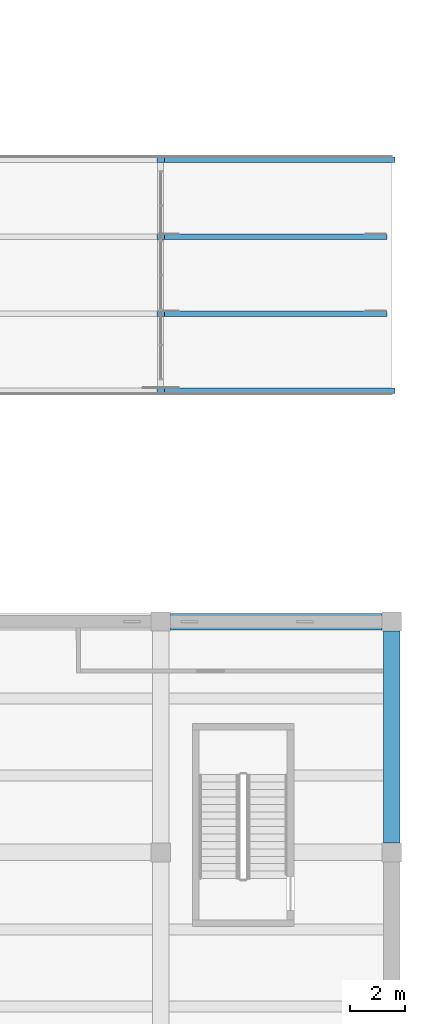
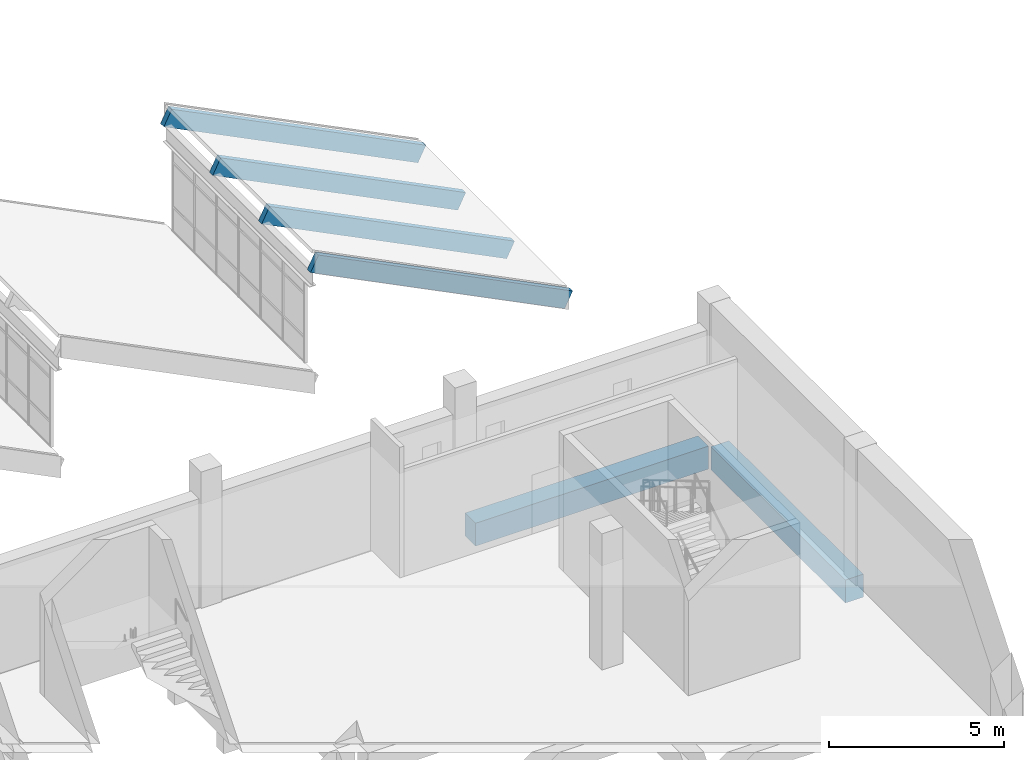
# One storey, part 29 of 103: 6 beams.
"""IFC4 building model written with IfcOpenShell, lengths in metres."""

import ifcopenshell
import ifcopenshell.guid

model = None  # the IFC model being written
_history = None  # IfcOwnerHistory: only IFC2X3 demands one
_inside = {}  # id of a spatial element -> (the spatial element, [elements in it])
_under = {}  # id of a project, library or spatial element -> (it, [spatial elements below it])
_declared = {}  # id of a project -> (the project, [libraries it declares])
_typed = {}  # id of a type object -> (the type object, [elements of that type])
_made_of = {}  # id of a material, layer set ... -> (it, [elements and type objects made of it])


def new_model(schema):
    """Start an empty IFC model of exactly this schema.

    Asked for "IFC4X3", IfcOpenShell would pick the latest addendum, in which some entities
    have other attributes; the version numbers below select the first issue.
    IFC2X3 requires an IfcOwnerHistory on every rooted entity: one is made here for all.
    """
    global model, _history
    if schema == "IFC4X3":
        model = ifcopenshell.file(schema_version=(4, 3, 0, 0))
    else:
        model = ifcopenshell.file(schema=schema)
    _inside.clear()
    _under.clear()
    _declared.clear()
    _typed.clear()
    _made_of.clear()
    _history = None
    if model.schema == "IFC2X3":
        org = make("IfcOrganization", Name="unknown")
        user = make(
            "IfcPersonAndOrganization",
            ThePerson=make("IfcPerson", FamilyName="unknown"),
            TheOrganization=org,
        )
        app = make(
            "IfcApplication",
            ApplicationDeveloper=org,
            Version="unknown",
            ApplicationFullName="unknown",
            ApplicationIdentifier="unknown",
        )
        _history = make(
            "IfcOwnerHistory",
            OwningUser=user,
            OwningApplication=app,
            ChangeAction="ADDED",
            CreationDate=0,
        )
    return model


def make(cls, **values):
    """One entity of the class cls with the attributes given. An attribute that is None is left unset."""
    return model.create_entity(
        cls, **{name: value for name, value in values.items() if value is not None}
    )


def rooted(cls, **values):
    """An entity with a GlobalId (a new one), such as an element, a storey or a relation."""
    return make(cls, GlobalId=ifcopenshell.guid.new(), OwnerHistory=_history, **values)


def si_unit(unit_type, name, prefix=None):
    """IfcSIUnit, for example si_unit("LENGTHUNIT", "METRE", prefix="MILLI")."""
    return make("IfcSIUnit", UnitType=unit_type, Prefix=prefix, Name=name)


def assignment(units):
    """IfcUnitAssignment: the units of a project."""
    return None if units is None else make("IfcUnitAssignment", Units=units)


def point(xyz):
    """IfcCartesianPoint."""
    return None if xyz is None else make("IfcCartesianPoint", Coordinates=xyz)


def direction(xyz):
    """IfcDirection."""
    return None if xyz is None else make("IfcDirection", DirectionRatios=xyz)


def frame(location, z_axis=None, x_axis=None):
    """IfcAxis2Placement3D, a coordinate frame: its origin and axes. An axis left out is left unset."""
    return make(
        "IfcAxis2Placement3D",
        Location=point(location),
        Axis=direction(z_axis),
        RefDirection=direction(x_axis),
    )


def frame_2d(location, x_axis=None):
    """IfcAxis2Placement2D, a coordinate frame in the plane: its origin and x axis."""
    return make(
        "IfcAxis2Placement2D", Location=point(location), RefDirection=direction(x_axis)
    )


def origin():
    """The frame at (0, 0, 0) with its axes left unset."""
    return frame((0.0, 0.0, 0.0))


def origin_2d():
    """The frame at (0, 0) in the plane with its x axis left unset."""
    return frame_2d((0.0, 0.0))


def place(relative_to, where):
    """IfcLocalPlacement: puts the frame where relative to a parent placement (None: the world)."""
    return make(
        "IfcLocalPlacement", PlacementRelTo=relative_to, RelativePlacement=where
    )


def context(
    kind, dimensions, precision=None, world=None, true_north=None, identifier=None
):
    """IfcGeometricRepresentationContext, for example the 3D "Model" context."""
    return make(
        "IfcGeometricRepresentationContext",
        ContextIdentifier=identifier,
        ContextType=kind,
        CoordinateSpaceDimension=dimensions,
        Precision=precision,
        WorldCoordinateSystem=world,
        TrueNorth=true_north,
    )


def subcontext(parent, identifier, kind, view, scale=None):
    """IfcGeometricRepresentationSubContext, for example "Body" below "Model"."""
    return make(
        "IfcGeometricRepresentationSubContext",
        ContextIdentifier=identifier,
        ContextType=kind,
        ParentContext=parent,
        TargetScale=scale,
        TargetView=view,
    )


def project(units=None, contexts=None):
    """IfcProject with its units and contexts."""
    return rooted(
        "IfcProject",
        Name="project",
        RepresentationContexts=contexts,
        UnitsInContext=assignment(units),
    )


def spatial(cls, under=None, at=None, **own):
    """A site, building, storey or space (cls), placed at a placement, below another one or the project."""
    s = rooted(cls, ObjectPlacement=at, **own)
    if under is not None:
        _under.setdefault(under.id(), (under, []))[1].append(s)
    return s


def profile(cls, at=None, kind="AREA", **sizes):
    """A parametric profile (cls). Its sizes go by their IFC names, for example OverallWidth=200.0."""
    return make(cls, ProfileType=kind, Position=at, **sizes)


def rectangle(**sizes):
    """IfcRectangleProfileDef."""
    return profile("IfcRectangleProfileDef", **sizes)


def extrude(swept, where, along, depth):
    """IfcExtrudedAreaSolid: the profile swept, set in the frame where, extruded along a direction by depth."""
    return make(
        "IfcExtrudedAreaSolid",
        SweptArea=swept,
        Position=where,
        ExtrudedDirection=direction(along),
        Depth=depth,
    )


def shape(context_of_items, identifier, shape_type, items):
    """IfcShapeRepresentation: the items that make up one representation, for example the "Body"."""
    return make(
        "IfcShapeRepresentation",
        ContextOfItems=context_of_items,
        RepresentationIdentifier=identifier,
        RepresentationType=shape_type,
        Items=items,
    )


def material(Name=None, Category=None):
    """IfcMaterial."""
    return make("IfcMaterial", Name=Name, Category=Category)


def material_profile(
    of_material, cross_section, Name=None, Category=None, Priority=None
):
    """IfcMaterialProfile: a cross section and its material."""
    return make(
        "IfcMaterialProfile",
        Name=Name,
        Material=of_material,
        Profile=cross_section,
        Priority=Priority,
        Category=Category,
    )


def profile_set(profiles, Name=None, composite=None):
    """IfcMaterialProfileSet."""
    return make(
        "IfcMaterialProfileSet",
        Name=Name,
        MaterialProfiles=profiles,
        CompositeProfile=composite,
    )


def made_of(thing, what):
    """Note that an element or type object is made of a material, layer set ...; save() writes the relation."""
    if what is not None:
        _made_of.setdefault(what.id(), (what, []))[1].append(thing)
    return thing


def type_object(cls, material=None, **own):
    """A type object (cls), such as IfcWallType, which elements share."""
    return made_of(rooted(cls, **own), material)


def element(
    cls,
    number,
    at=None,
    inside=None,
    cuts=None,
    type_object=None,
    material=None,
    context=None,
    identifier="Body",
    shape_type=None,
    held_by="IfcProductDefinitionShape",
    body=None,
    shapes=None,
    **own,
):
    """One element of the class cls, such as IfcWall. Its Tag is "e" and its number.

    at: its placement. inside: the storey or other place that contains it. cuts: it is an
    opening in that element (IfcRelVoidsElement). A single representation is given by context,
    identifier, shape_type and body (its items); several are given by shapes. held_by: the class
    of the entity that holds the representations. save() writes the other relations.
    """
    e = rooted(cls, Tag="e%d" % number, ObjectPlacement=at, **own)
    if body is not None:
        shapes = [shape(context, identifier, shape_type, body)]
    if shapes is not None:
        e.Representation = make(held_by, Representations=shapes)
    if inside is not None:
        _inside.setdefault(inside.id(), (inside, []))[1].append(e)
    if cuts is not None:
        rooted(
            "IfcRelVoidsElement", RelatingBuildingElement=cuts, RelatedOpeningElement=e
        )
    if type_object is not None:
        _typed.setdefault(type_object.id(), (type_object, []))[1].append(e)
    return made_of(e, material)


def aggregate(whole, parts):
    """IfcRelAggregates: a whole, such as a stair, and the parts it consists of."""
    return rooted("IfcRelAggregates", RelatingObject=whole, RelatedObjects=parts)


def save(model, path):
    """Write the relations noted so far, then the file.

    IfcRelAggregates (storeys below a building ...), IfcRelContainedInSpatialStructure (elements
    in a storey), IfcRelDefinesByType, IfcRelAssociatesMaterial and IfcRelDeclares: one each for
    every whole, place, type object, material and project.
    """
    for whole, parts in _under.values():
        aggregate(whole, parts)
    for where, things in _inside.values():
        rooted(
            "IfcRelContainedInSpatialStructure",
            RelatedElements=things,
            RelatingStructure=where,
        )
    for kind, things in _typed.values():
        rooted("IfcRelDefinesByType", RelatedObjects=things, RelatingType=kind)
    for what, things in _made_of.values():
        rooted("IfcRelAssociatesMaterial", RelatedObjects=things, RelatingMaterial=what)
    for by, libraries in _declared.values():
        rooted("IfcRelDeclares", RelatingContext=by, RelatedDefinitions=libraries)
    model.write(path)


model = new_model("IFC4")

# Units and contexts
model_context = context("Model", 3, precision=1e-05, world=origin(), true_north=direction((0.0, 1.0)))
body_context = subcontext(model_context, "Body", "Model", "MODEL_VIEW")
ifc_project = project(units=[si_unit("LENGTHUNIT", "METRE"), si_unit("AREAUNIT", "SQUARE_METRE"), si_unit("VOLUMEUNIT", "CUBIC_METRE"), si_unit("PLANEANGLEUNIT", "RADIAN"), si_unit("MASSUNIT", "GRAM", prefix="KILO")], contexts=[model_context])

# Site, building, storey
site_placement = place(None, origin())
site = spatial("IfcSite", under=ifc_project, at=site_placement, CompositionType="ELEMENT")
building_placement = place(site_placement, origin())
building = spatial("IfcBuilding", under=site, at=building_placement, Name="Larchfold Concert Hall", CompositionType="ELEMENT")
storey_placement = place(building_placement, frame((0.0, 0.0, 9.60009765625)))
storey = spatial("IfcBuildingStorey", under=building, at=storey_placement, Name="L02", CompositionType="ELEMENT", Elevation=9.60009765625)

# Beams
ifc_material_1 = material(Name="Concrete C35/45", Category="concrete")
ifc_material_profile_1 = material_profile(ifc_material_1, rectangle(XDim=0.60009765625, YDim=0.800048828125, at=origin_2d()))
ifc_profile_set_1 = profile_set([ifc_material_profile_1], Name="Concrete C35/45")
beam_type_1 = type_object("IfcBeamType", Name="Beam RC 600x800", PredefinedType="BEAM", material=ifc_profile_set_1)
for number, where, z_axis, x_axis, name in (
    (1, (101.39990234375, 93.35009765625, -0.60009765625), (0.0, 1.0, 0.0), (-1.0, 0.0, 0.0), "Beam B0976"),
    (2, (93.35009765625, 101.39990234375, -0.60009765625), (1.0, 0.0, 0.0), (0.0, 1.0, 0.0), "Beam B0992"),
):
    element("IfcBeam", number, at=place(storey_placement, frame(where, z_axis=z_axis, x_axis=x_axis)), inside=storey, type_object=beam_type_1, Name=name, PredefinedType="BEAM", context=body_context, shape_type="SweptSolid", body=[
        extrude(rectangle(XDim=0.60009765625, YDim=0.800048828125, at=origin_2d()), origin(), (0.0, 0.0, 1.0), 7.699951171875),
    ])
ifc_material_2 = material(Name="Glulam GL30c", Category="wood")
ifc_material_profile_2 = material_profile(ifc_material_2, rectangle(XDim=0.18994140625, YDim=0.5849609375, at=origin_2d()))
ifc_profile_set_2 = profile_set([ifc_material_profile_2], Name="Glulam GL30c")
beam_type_2 = type_object("IfcBeamType", Name="Glulam beam GL30c 190x585", PredefinedType="BEAM", material=ifc_profile_set_2)
beam_1_placement = place(storey_placement, frame((93.0, 109.800048828125, 3.77294921875), z_axis=(0.894427191, 0.0, -0.4472135955), x_axis=(0.0, 1.0, 0.0)))
element("IfcBeam", 3, at=beam_1_placement, inside=storey, type_object=beam_type_2, Name="Beam GL2105", PredefinedType="BEAM", context=body_context, shape_type="SweptSolid", body=[
    extrude(rectangle(XDim=0.18994140625, YDim=0.5849609375, at=origin_2d()), origin(), (0.0, 0.0, 1.0), 9.391357421875),
])
for number, where, z_axis, x_axis, name in (
    (4, (93.0, 112.60009765625, 3.77294921875), (0.894427191, 0.0, -0.4472135955), (0.0, 1.0, 0.0), "Beam GL2106"),
    (5, (93.0, 115.39990234375, 3.77294921875), (0.894427191, 0.0, -0.4472135955), (0.0, 1.0, 0.0), "Beam GL2107"),
):
    element("IfcBeam", number, at=place(storey_placement, frame(where, z_axis=z_axis, x_axis=x_axis)), inside=storey, type_object=beam_type_2, Name=name, PredefinedType="BEAM", context=body_context, shape_type="SweptSolid", body=[
        extrude(rectangle(XDim=0.18994140625, YDim=0.5849609375, at=origin_2d()), origin(), (0.0, 0.0, 1.0), 9.05615234375),
    ])
beam_2_placement = place(storey_placement, frame((93.0, 118.199951171875, 3.77294921875), z_axis=(0.894427191, 0.0, -0.4472135955), x_axis=(0.0, 1.0, 0.0)))
element("IfcBeam", 6, at=beam_2_placement, inside=storey, type_object=beam_type_2, Name="Beam GL2108", PredefinedType="BEAM", context=body_context, shape_type="SweptSolid", body=[
    extrude(rectangle(XDim=0.18994140625, YDim=0.5849609375, at=origin_2d()), origin(), (0.0, 0.0, 1.0), 9.391357421875),
])

save(model, "model.ifc")
